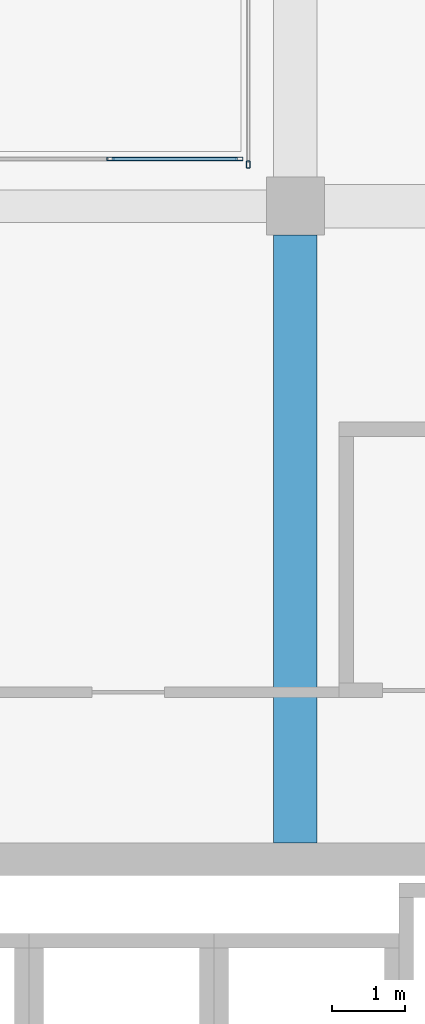
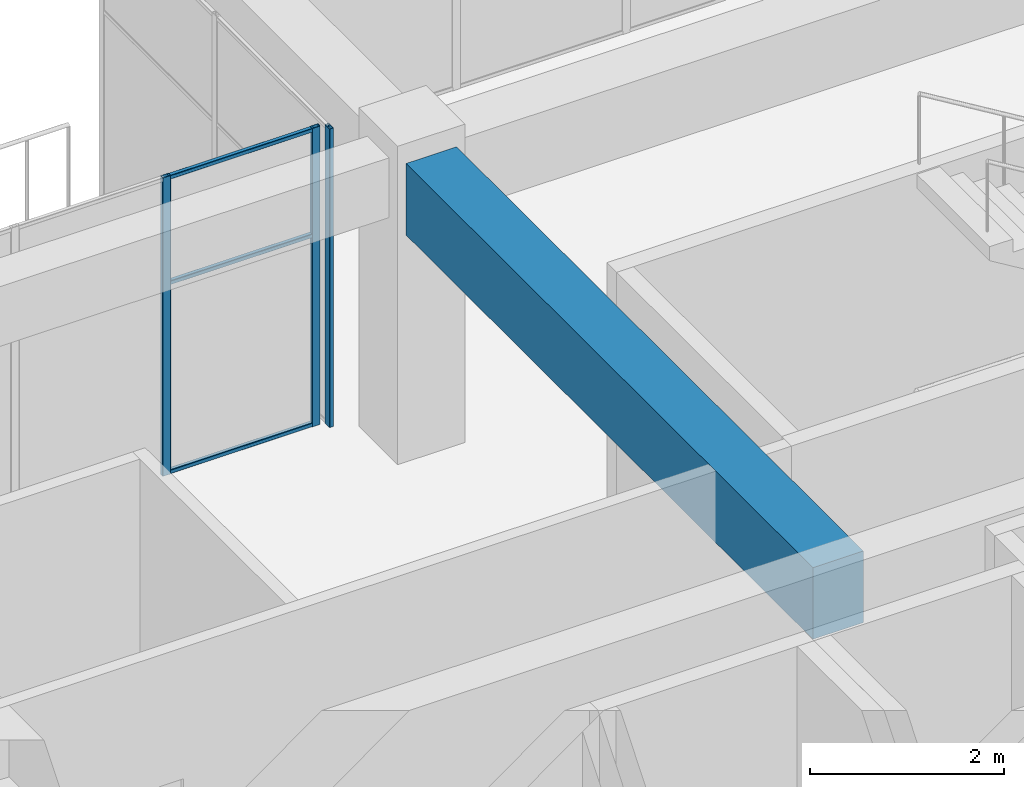
# One storey, part 49 of 81: 6 members, 1 beam, 2 elements without a shape of their own.
"""IFC4 building model written with IfcOpenShell, lengths in metres."""

from ifc_helpers import new_model, si_unit, direction, frame, origin, origin_2d, place, context, subcontext, project, spatial, rectangle, hollow_rectangle, extrude, material, layer, layer_set, material_profile, profile_set, type_object, element, aggregate, save


model = new_model("IFC4")

# Units and contexts
model_context = context("Model", 3, precision=1e-05, world=origin(), true_north=direction((0.0, 1.0)))
body_context = subcontext(model_context, "Body", "Model", "MODEL_VIEW")
ifc_project = project(units=[si_unit("LENGTHUNIT", "METRE"), si_unit("AREAUNIT", "SQUARE_METRE"), si_unit("VOLUMEUNIT", "CUBIC_METRE"), si_unit("PLANEANGLEUNIT", "RADIAN"), si_unit("MASSUNIT", "GRAM", prefix="KILO")], contexts=[model_context])

# Site, building, storey
site_placement = place(None, origin())
site = spatial("IfcSite", under=ifc_project, at=site_placement, CompositionType="ELEMENT")
building_placement = place(site_placement, origin())
building = spatial("IfcBuilding", under=site, at=building_placement, Name="Tuart Plaza Theatre", CompositionType="ELEMENT")
storey_placement = place(building_placement, frame((0.0, 0.0, 17.5)))
storey = spatial("IfcBuildingStorey", under=building, at=storey_placement, Name="L04", CompositionType="ELEMENT", Elevation=17.5)

# Beam
ifc_material_1 = material(Name="Concrete N40 (40 MPa)", Category="concrete")
ifc_material_profile_1 = material_profile(ifc_material_1, rectangle(XDim=0.60009765625, YDim=0.89990234375, at=origin_2d()), Name="BEAM 600x900 Concrete N40 (40 MPa)")
ifc_profile_set_1 = profile_set([ifc_material_profile_1], Name="Concrete N40 (40 MPa)")
beam_type = type_object("IfcBeamType", Name="BEAM 600x900 Concrete N40 (40 MPa)", PredefinedType="BEAM", material=ifc_profile_set_1)
beam_placement = place(storey_placement, frame((132.0, 83.22509765625, 3.300048828125), z_axis=(0.0, 1.0, 0.0), x_axis=(-1.0, 0.0, 0.0)))
element("IfcBeam", 1, at=beam_placement, inside=storey, type_object=beam_type, Name="RB224", PredefinedType="BEAM", context=body_context, shape_type="SweptSolid", body=[
    extrude(rectangle(XDim=0.60009765625, YDim=0.89990234375, at=origin_2d()), origin(), (0.0, 0.0, 1.0), 8.375),
])

# Curtain wall, member
ifc_material_2 = material(Name="Aluminium and glass", Category="aluminium")
ifc_layer_1 = layer(ifc_material_2, 0.10009765625)
ifc_layer_set_1 = layer_set([ifc_layer_1], Name="CURTAIN WALL 2000 module")
curtain_wall_type_1 = type_object("IfcCurtainWallType", Name="CURTAIN WALL 2000 module", PredefinedType="NOTDEFINED", material=ifc_layer_set_1)
curtain_wall_1_placement = place(storey_placement, origin())
curtain_wall_1 = element("IfcCurtainWall", 2, at=curtain_wall_1_placement, inside=storey, type_object=curtain_wall_type_1, Name="CW83", PredefinedType="NOTDEFINED")
ifc_material_3 = material(Name="Aluminium 6063-T5", Category="aluminium")
ifc_material_profile_2 = material_profile(ifc_material_3, hollow_rectangle(XDim=0.050048828125, YDim=0.10009765625, WallThickness=0.00390625, InnerFilletRadius=0.00390625, OuterFilletRadius=0.008056640625, at=origin_2d()), Name="RHS 100x50x4")
ifc_profile_set_2 = profile_set([ifc_material_profile_2], Name="Aluminium 6063-T5")
member_type_1 = type_object("IfcMemberType", Name="MULLION RHS 100x50x4", PredefinedType="MULLION", material=ifc_profile_set_2)
member_1_placement = place(storey_placement, frame((131.35009765625, 92.574951171875, 0.0), z_axis=(0.0, 0.0, 1.0), x_axis=(1.0, 0.0, 0.0)))
member_1 = element("IfcMember", 3, at=member_1_placement, type_object=member_type_1, Name="CW83 mullion 3", PredefinedType="MULLION", context=body_context, shape_type="SweptSolid", body=[
    extrude(hollow_rectangle(XDim=0.050048828125, YDim=0.10009765625, WallThickness=0.00390625, InnerFilletRadius=0.00390625, OuterFilletRadius=0.008056640625, at=origin_2d()), origin(), (0.0, 0.0, 1.0), 3.75),
])
aggregate(curtain_wall_1, [member_1])

# Curtain wall, members
ifc_material_4 = material(Name="Aluminium and glass", Category="aluminium")
ifc_layer_2 = layer(ifc_material_4, 0.10009765625)
ifc_layer_set_2 = layer_set([ifc_layer_2], Name="CURTAIN WALL 1800 module")
curtain_wall_type_2 = type_object("IfcCurtainWallType", Name="CURTAIN WALL 1800 module", PredefinedType="NOTDEFINED", material=ifc_layer_set_2)
curtain_wall_2_placement = place(storey_placement, origin())
curtain_wall_2 = element("IfcCurtainWall", 4, at=curtain_wall_2_placement, inside=storey, type_object=curtain_wall_type_2, Name="CW84", PredefinedType="NOTDEFINED")
member_2_placement = place(storey_placement, frame((131.22509765625, 92.64990234375, 0.0), z_axis=(0.0, 0.0, 1.0), x_axis=(0.0, -1.0, 0.0)))
member_2 = element("IfcMember", 5, at=member_2_placement, type_object=member_type_1, Name="CW84 mullion 1", PredefinedType="MULLION", context=body_context, shape_type="SweptSolid", body=[
    extrude(hollow_rectangle(XDim=0.050048828125, YDim=0.10009765625, WallThickness=0.00390625, InnerFilletRadius=0.00390625, OuterFilletRadius=0.008056640625, at=origin_2d()), origin(), (0.0, 0.0, 1.0), 3.75),
])
member_3_placement = place(storey_placement, frame((129.449951171875, 92.64990234375, 0.0), z_axis=(0.0, 0.0, 1.0), x_axis=(0.0, -1.0, 0.0)))
member_3 = element("IfcMember", 6, at=member_3_placement, type_object=member_type_1, Name="CW84 mullion 2", PredefinedType="MULLION", context=body_context, shape_type="SweptSolid", body=[
    extrude(hollow_rectangle(XDim=0.050048828125, YDim=0.10009765625, WallThickness=0.00390625, InnerFilletRadius=0.00390625, OuterFilletRadius=0.008056640625, at=origin_2d()), origin(), (0.0, 0.0, 1.0), 3.75),
])
ifc_material_5 = material(Name="Aluminium 6063-T5", Category="aluminium")
ifc_material_profile_3 = material_profile(ifc_material_5, hollow_rectangle(XDim=0.050048828125, YDim=0.050048828125, WallThickness=0.00390625, InnerFilletRadius=0.00390625, OuterFilletRadius=0.008056640625, at=origin_2d()), Name="RHS 50x50x4")
ifc_profile_set_3 = profile_set([ifc_material_profile_3], Name="Aluminium 6063-T5")
member_type_2 = type_object("IfcMemberType", Name="TRANSOM RHS 50x50x4", PredefinedType="USERDEFINED", material=ifc_profile_set_3)
member_4_placement = place(storey_placement, frame((131.199951171875, 92.64990234375, 0.02490234375), z_axis=(-1.0, 0.0, 0.0), x_axis=(0.0, -1.0, 0.0)))
member_4 = element("IfcMember", 7, at=member_4_placement, type_object=member_type_2, Name="CW84 transom 1.1", ObjectType="TRANSOM", PredefinedType="USERDEFINED", context=body_context, shape_type="SweptSolid", body=[
    extrude(hollow_rectangle(XDim=0.050048828125, YDim=0.050048828125, WallThickness=0.00390625, InnerFilletRadius=0.00390625, OuterFilletRadius=0.008056640625, at=origin_2d()), origin(), (0.0, 0.0, 1.0), 1.724853515625),
])
member_5_placement = place(storey_placement, frame((131.199951171875, 92.64990234375, 2.39990234375), z_axis=(-1.0, 0.0, 0.0), x_axis=(0.0, -1.0, 0.0)))
member_5 = element("IfcMember", 8, at=member_5_placement, type_object=member_type_2, Name="CW84 transom 1.2", ObjectType="TRANSOM", PredefinedType="USERDEFINED", context=body_context, shape_type="SweptSolid", body=[
    extrude(hollow_rectangle(XDim=0.050048828125, YDim=0.050048828125, WallThickness=0.00390625, InnerFilletRadius=0.00390625, OuterFilletRadius=0.008056640625, at=origin_2d()), origin(), (0.0, 0.0, 1.0), 1.724853515625),
])
member_6_placement = place(storey_placement, frame((131.199951171875, 92.64990234375, 3.72509765625), z_axis=(-1.0, 0.0, 0.0), x_axis=(0.0, -1.0, 0.0)))
member_6 = element("IfcMember", 9, at=member_6_placement, type_object=member_type_2, Name="CW84 transom 1.3", ObjectType="TRANSOM", PredefinedType="USERDEFINED", context=body_context, shape_type="SweptSolid", body=[
    extrude(hollow_rectangle(XDim=0.050048828125, YDim=0.050048828125, WallThickness=0.00390625, InnerFilletRadius=0.00390625, OuterFilletRadius=0.008056640625, at=origin_2d()), origin(), (0.0, 0.0, 1.0), 1.724853515625),
])
aggregate(curtain_wall_2, [member_2, member_3, member_4, member_5, member_6])

save(model, "model.ifc")
